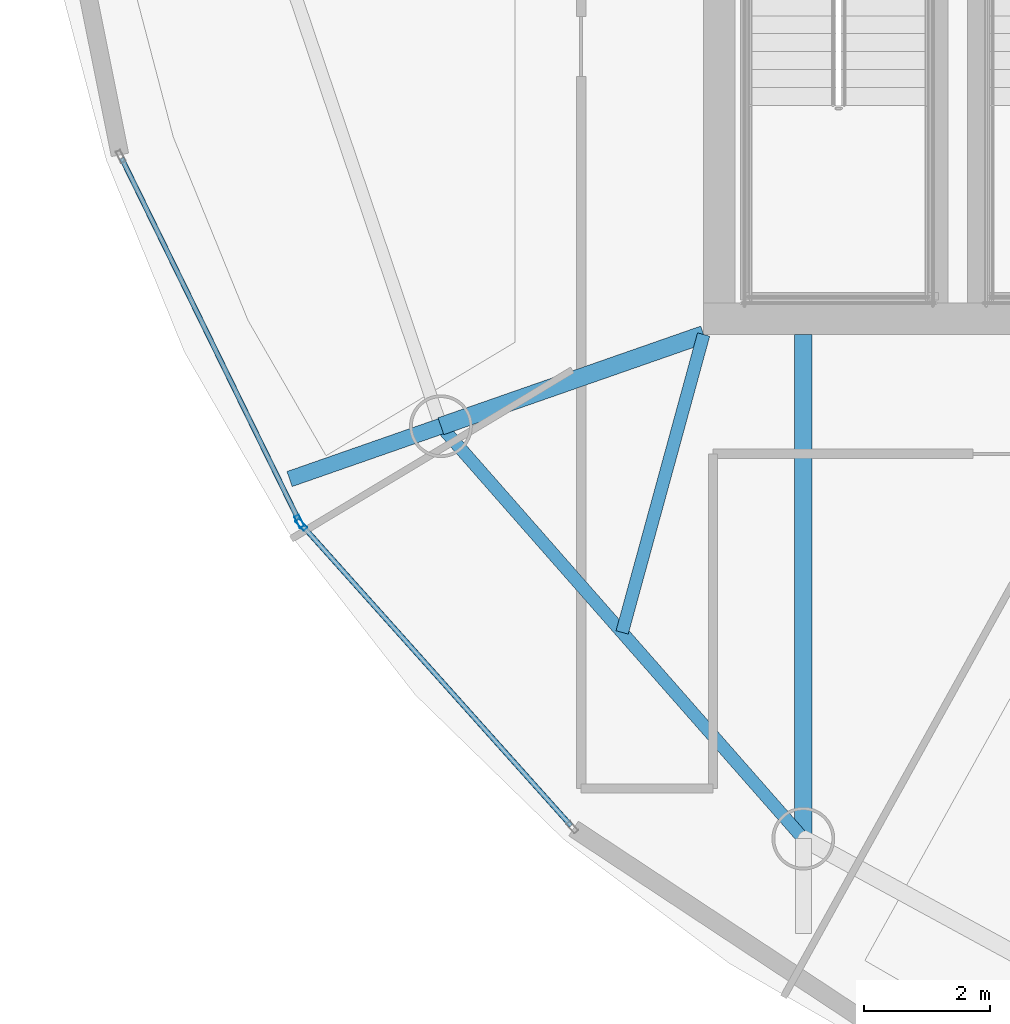
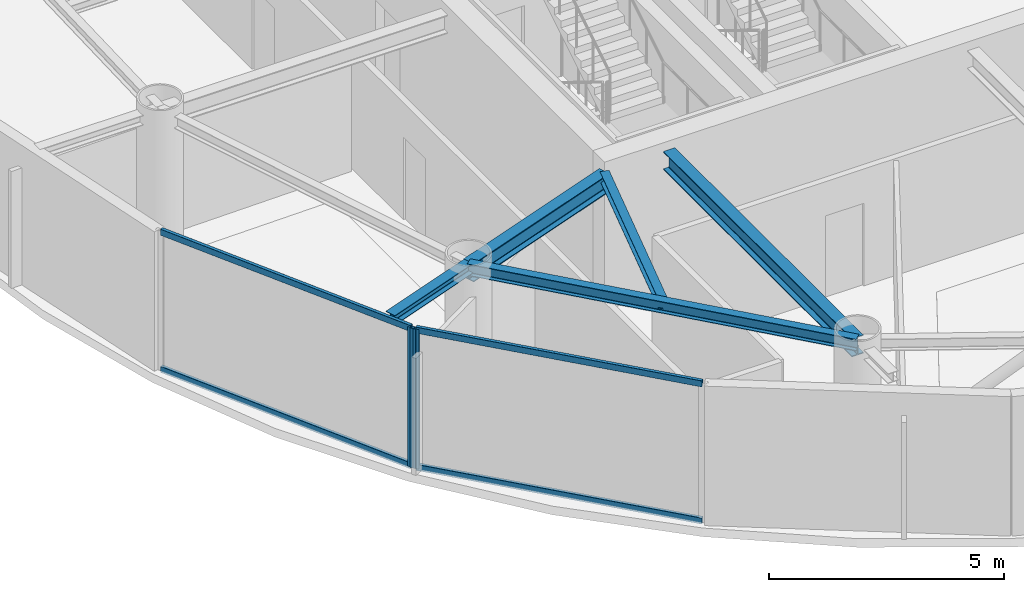
# One storey, part 3 of 21: 6 members, 5 beams, 2 elements without a shape of their own.
"""IFC4 building model written with IfcOpenShell, lengths in metres."""

from ifc_helpers import new_model, si_unit, direction, frame, origin, origin_2d, place, context, subcontext, project, spatial, hollow_rectangle, i_section, extrude, material, layer, layer_set, material_profile, profile_set, type_object, element, aggregate, save


model = new_model("IFC4")

# Units and contexts
model_context = context("Model", 3, precision=1e-05, world=origin(), true_north=direction((0.0, 1.0)))
body_context = subcontext(model_context, "Body", "Model", "MODEL_VIEW")
ifc_project = project(units=[si_unit("LENGTHUNIT", "METRE"), si_unit("AREAUNIT", "SQUARE_METRE"), si_unit("VOLUMEUNIT", "CUBIC_METRE"), si_unit("PLANEANGLEUNIT", "RADIAN"), si_unit("MASSUNIT", "GRAM", prefix="KILO")], contexts=[model_context])

# Site, building, storey
site_placement = place(None, origin())
site = spatial("IfcSite", under=ifc_project, at=site_placement, CompositionType="ELEMENT")
building_placement = place(site_placement, origin())
building = spatial("IfcBuilding", under=site, at=building_placement, Name="Bramvorn Convention Spire", CompositionType="ELEMENT")
storey_placement = place(building_placement, frame((0.0, 0.0, 257.449951171875)))
storey = spatial("IfcBuildingStorey", under=building, at=storey_placement, Name="L65", CompositionType="ELEMENT", Elevation=257.449951171875)

# Beams
ifc_material_1 = material(Name="Steel CSA G40.21 Grade 350 (350W)", Category="steel")
ifc_material_profile_1 = material_profile(ifc_material_1, i_section(OverallWidth=0.201904296875, OverallDepth=0.2470703125, WebThickness=0.00732421875, FlangeThickness=0.010986328125, FilletRadius=0.011962890625, at=origin_2d()))
ifc_profile_set_1 = profile_set([ifc_material_profile_1], Name="Steel CSA G40.21 Grade 350 (350W) - W250X49")
beam_type_1 = type_object("IfcBeamType", Name="BM-W250X49", PredefinedType="JOIST", material=ifc_profile_set_1)
beam_1_placement = place(storey_placement, frame((26.75, 18.550048828125, 3.50146484375), z_axis=(-0.26386506219, -0.96455960363, 0.0), x_axis=(0.96455960363, -0.26386506219, 0.0)))
element("IfcBeam", 1, at=beam_1_placement, inside=storey, type_object=beam_type_1, Name="L65 composite floor joist 13", PredefinedType="JOIST", context=body_context, shape_type="SweptSolid", body=[
    extrude(i_section(OverallWidth=0.201904296875, OverallDepth=0.2470703125, WebThickness=0.00732421875, FlangeThickness=0.010986328125, FilletRadius=0.011962890625, at=origin_2d()), origin(), (0.0, 0.0, 1.0), 4.917724609375),
])
ifc_material_profile_2 = material_profile(ifc_material_1, i_section(OverallWidth=0.25390625, OverallDepth=0.2529296875, WebThickness=0.008544921875, FlangeThickness=0.01416015625, FilletRadius=0.011962890625, at=origin_2d()))
ifc_profile_set_2 = profile_set([ifc_material_profile_2], Name="Steel CSA G40.21 Grade 350 (350W) - W250X73")
beam_type_2 = type_object("IfcBeamType", Name="BM-W250X73", PredefinedType="BEAM", material=ifc_profile_set_2)
beam_2_placement = place(storey_placement, frame((22.5673828125, 17.090087890625, 3.49853515625), z_axis=(-0.944121987052, -0.32959622808, 0.0), x_axis=(0.32959622808, -0.944121987052, 0.0)))
element("IfcBeam", 2, at=beam_2_placement, inside=storey, type_object=beam_type_2, Name="L65 slab-edge cantilever tip beam MC13", PredefinedType="BEAM", context=body_context, shape_type="SweptSolid", body=[
    extrude(i_section(OverallWidth=0.25390625, OverallDepth=0.2529296875, WebThickness=0.008544921875, FlangeThickness=0.01416015625, FilletRadius=0.011962890625, at=origin_2d()), origin(), (0.0, 0.0, 1.0), 2.552490234375),
])
ifc_material_profile_3 = material_profile(ifc_material_1, i_section(OverallWidth=0.202880859375, OverallDepth=0.302978515625, WebThickness=0.007568359375, FlangeThickness=0.01318359375, FilletRadius=0.013916015625, at=origin_2d()))
ifc_profile_set_3 = profile_set([ifc_material_profile_3], Name="Steel CSA G40.21 Grade 350 (350W) - W310X60")
beam_type_3 = type_object("IfcBeamType", Name="BM-W310X60", PredefinedType="JOIST", material=ifc_profile_set_3)
beam_3_placement = place(storey_placement, frame((22.5673828125, 17.090087890625, 3.4736328125), z_axis=(0.660073062339, -0.751201405999, 0.0), x_axis=(0.751201405999, 0.660073062339, 0.0)))
element("IfcBeam", 3, at=beam_3_placement, inside=storey, type_object=beam_type_3, Name="L65 mega-column ring beam 13", PredefinedType="JOIST", context=body_context, shape_type="SweptSolid", body=[
    extrude(i_section(OverallWidth=0.202880859375, OverallDepth=0.302978515625, WebThickness=0.007568359375, FlangeThickness=0.01318359375, FilletRadius=0.013916015625, at=origin_2d()), origin(), (0.0, 0.0, 1.0), 8.741943359375),
])
ifc_material_profile_4 = material_profile(ifc_material_1, i_section(OverallWidth=0.283935546875, OverallDepth=0.47607421875, WebThickness=0.014892578125, FlangeThickness=0.02392578125, FilletRadius=0.01806640625, at=origin_2d()))
ifc_profile_set_4 = profile_set([ifc_material_profile_4], Name="Steel CSA G40.21 Grade 350 (350W) - W460X158")
beam_type_4 = type_object("IfcBeamType", Name="BM-W460X158", PredefinedType="SPANDREL", material=ifc_profile_set_4)
beam_4_placement = place(storey_placement, frame((26.75, 18.550048828125, 3.386962890625), z_axis=(-0.944136391877, -0.329554962843, 0.0), x_axis=(0.329554962843, -0.944136391877, 0.0)))
element("IfcBeam", 4, at=beam_4_placement, inside=storey, type_object=beam_type_4, Name="L65 radial floor girder MC13", PredefinedType="SPANDREL", context=body_context, shape_type="SweptSolid", body=[
    extrude(i_section(OverallWidth=0.283935546875, OverallDepth=0.47607421875, WebThickness=0.014892578125, FlangeThickness=0.02392578125, FilletRadius=0.01806640625, at=origin_2d()), origin(), (0.0, 0.0, 1.0), 4.43017578125),
])
beam_5_placement = place(storey_placement, frame((28.337646484375, 18.550048828125, 3.386962890625), z_axis=(0.0, -1.0, 0.0), x_axis=(1.0, 0.0, 0.0)))
element("IfcBeam", 5, at=beam_5_placement, inside=storey, type_object=beam_type_4, Name="L65 radial floor girder MC14", PredefinedType="SPANDREL", context=body_context, shape_type="SweptSolid", body=[
    extrude(i_section(OverallWidth=0.283935546875, OverallDepth=0.47607421875, WebThickness=0.014892578125, FlangeThickness=0.02392578125, FilletRadius=0.01806640625, at=origin_2d()), origin(), (0.0, 0.0, 1.0), 8.02685546875),
])

# Curtain wall, member
ifc_material_2 = material(Name="Anodised Bronze Unitised Curtain Wall", Category="aluminium")
ifc_layer = layer(ifc_material_2, 0.179931640625)
ifc_layer_set = layer_set([ifc_layer], Name="Anodised Bronze Unitised Curtain Wall - CW-OFF-FRIT")
curtain_wall_type = type_object("IfcCurtainWallType", Name="CW-OFF-FRIT", PredefinedType="USERDEFINED", material=ifc_layer_set)
curtain_wall_1_placement = place(storey_placement, origin())
curtain_wall_1 = element("IfcCurtainWall", 6, at=curtain_wall_1_placement, inside=storey, type_object=curtain_wall_type, Name="L65 fritted glass curtain wall 18", ObjectType="UNITISED CURTAIN WALL", PredefinedType="USERDEFINED")
ifc_material_3 = material(Name="Anodised Bronze Aluminium 6063-T6", Category="aluminium")
ifc_material_profile_5 = material_profile(ifc_material_3, hollow_rectangle(XDim=0.080078125, YDim=0.199951171875, WallThickness=0.00390625, InnerFilletRadius=0.0009765625, OuterFilletRadius=0.00390625, at=origin_2d()))
ifc_profile_set_5 = profile_set([ifc_material_profile_5], Name="Anodised Bronze Aluminium 6063-T6 - CWM80X200")
member_type_1 = type_object("IfcMemberType", Name="CW-MUL-180", PredefinedType="MULLION", material=ifc_profile_set_5)
member_1_placement = place(storey_placement, frame((20.312744140625, 15.57470703125, 0.0), z_axis=(0.0, 0.0, 1.0), x_axis=(-0.898263821877, -0.439456603439, 0.0)))
member_1 = element("IfcMember", 7, at=member_1_placement, type_object=member_type_1, Name="CW3 mullion 1", PredefinedType="MULLION", context=body_context, shape_type="SweptSolid", body=[
    extrude(hollow_rectangle(XDim=0.080078125, YDim=0.199951171875, WallThickness=0.00390625, InnerFilletRadius=0.0009765625, OuterFilletRadius=0.00390625, at=origin_2d()), origin(), (0.0, 0.0, 1.0), 3.625),
])

curtain_wall_2_placement = place(storey_placement, origin())
curtain_wall_2 = element("IfcCurtainWall", 8, at=curtain_wall_2_placement, inside=storey, type_object=curtain_wall_type, Name="L65 fritted glass curtain wall 19", ObjectType="UNITISED CURTAIN WALL", PredefinedType="USERDEFINED")
member_2_placement = place(storey_placement, frame((20.345947265625, 15.525390625, 0.0), z_axis=(0.0, 0.0, 1.0), x_axis=(-0.745109867792, -0.666941740274, 0.0)))
member_2 = element("IfcMember", 9, at=member_2_placement, type_object=member_type_1, Name="CW3 mullion 2", PredefinedType="MULLION", context=body_context, shape_type="SweptSolid", body=[
    extrude(hollow_rectangle(XDim=0.080078125, YDim=0.199951171875, WallThickness=0.00390625, InnerFilletRadius=0.0009765625, OuterFilletRadius=0.00390625, at=origin_2d()), origin(), (0.0, 0.0, 1.0), 3.625),
])

# Member
ifc_material_profile_6 = material_profile(ifc_material_3, hollow_rectangle(XDim=0.080078125, YDim=0.159912109375, WallThickness=0.00390625, InnerFilletRadius=0.0009765625, OuterFilletRadius=0.00390625, at=origin_2d()))
ifc_profile_set_6 = profile_set([ifc_material_profile_6], Name="Anodised Bronze Aluminium 6063-T6 - CWT80X160")
member_type_2 = type_object("IfcMemberType", Name="CW-TRN-150", PredefinedType="USERDEFINED", material=ifc_profile_set_6)
member_3_placement = place(storey_placement, frame((20.299560546875, 15.6015625, 0.030029296875), z_axis=(-0.439469136046, 0.898257690456, 0.0), x_axis=(-0.898257690456, -0.439469136046, 0.0)))
member_3 = element("IfcMember", 10, at=member_3_placement, type_object=member_type_2, Name="CW3 transom 1.1", ObjectType="TRANSOM", PredefinedType="USERDEFINED", context=body_context, shape_type="SweptSolid", body=[
    extrude(hollow_rectangle(XDim=0.080078125, YDim=0.159912109375, WallThickness=0.00390625, InnerFilletRadius=0.0009765625, OuterFilletRadius=0.00390625, at=origin_2d()), origin(), (0.0, 0.0, 1.0), 6.406982421875),
])

member_4_placement = place(storey_placement, frame((20.299560546875, 15.6015625, 3.594970703125), z_axis=(-0.439469136046, 0.898257690456, 0.0), x_axis=(-0.898257690456, -0.439469136046, 0.0)))
member_4 = element("IfcMember", 11, at=member_4_placement, type_object=member_type_2, Name="CW3 transom 1.2", ObjectType="TRANSOM", PredefinedType="USERDEFINED", context=body_context, shape_type="SweptSolid", body=[
    extrude(hollow_rectangle(XDim=0.080078125, YDim=0.159912109375, WallThickness=0.00390625, InnerFilletRadius=0.0009765625, OuterFilletRadius=0.00390625, at=origin_2d()), origin(), (0.0, 0.0, 1.0), 6.406982421875),
])

aggregate(curtain_wall_1, [member_1, member_3, member_4])

member_5_placement = place(storey_placement, frame((24.638916015625, 10.72900390625, 0.030029296875), z_axis=(-0.666928512327, 0.745121707807, 0.0), x_axis=(-0.745121707807, -0.666928512327, 0.0)))
member_5 = element("IfcMember", 12, at=member_5_placement, type_object=member_type_2, Name="CW3 transom 1.1", ObjectType="TRANSOM", PredefinedType="USERDEFINED", context=body_context, shape_type="SweptSolid", body=[
    extrude(hollow_rectangle(XDim=0.080078125, YDim=0.159912109375, WallThickness=0.00390625, InnerFilletRadius=0.0009765625, OuterFilletRadius=0.00390625, at=origin_2d()), origin(), (0.0, 0.0, 1.0), 6.406982421875),
])

member_6_placement = place(storey_placement, frame((24.638916015625, 10.72900390625, 3.594970703125), z_axis=(-0.666928512327, 0.745121707807, 0.0), x_axis=(-0.745121707807, -0.666928512327, 0.0)))
member_6 = element("IfcMember", 13, at=member_6_placement, type_object=member_type_2, Name="CW3 transom 1.2", ObjectType="TRANSOM", PredefinedType="USERDEFINED", context=body_context, shape_type="SweptSolid", body=[
    extrude(hollow_rectangle(XDim=0.080078125, YDim=0.159912109375, WallThickness=0.00390625, InnerFilletRadius=0.0009765625, OuterFilletRadius=0.00390625, at=origin_2d()), origin(), (0.0, 0.0, 1.0), 6.406982421875),
])

aggregate(curtain_wall_2, [member_2, member_5, member_6])

save(model, "model.ifc")
